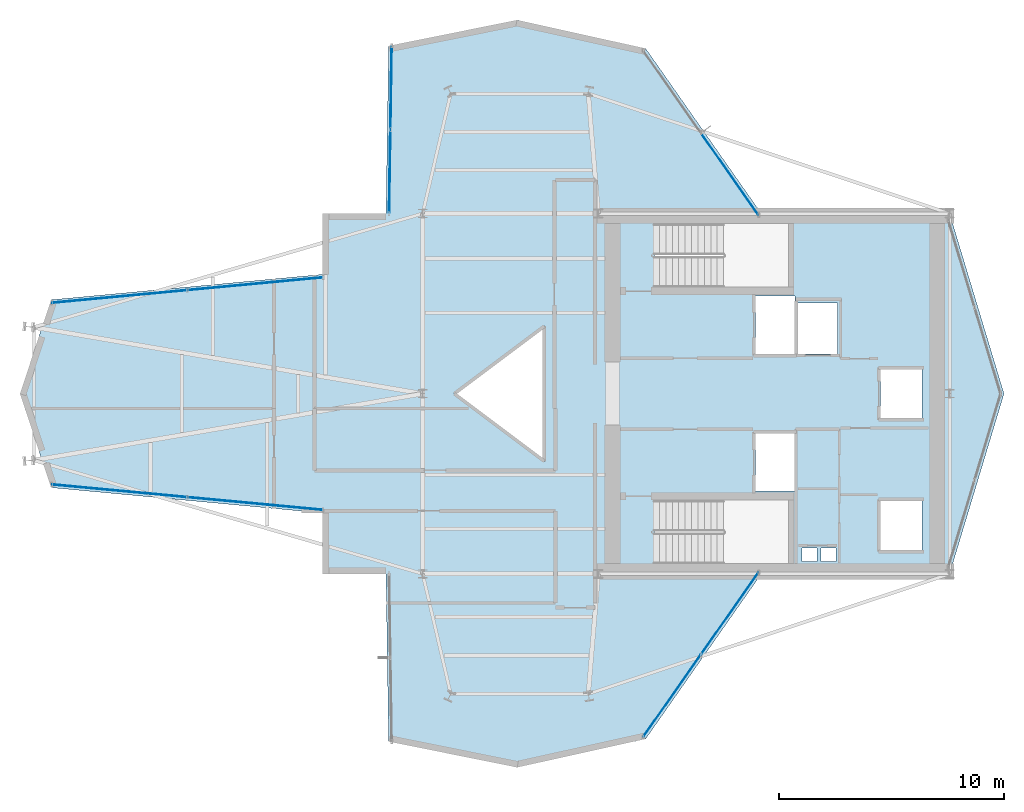
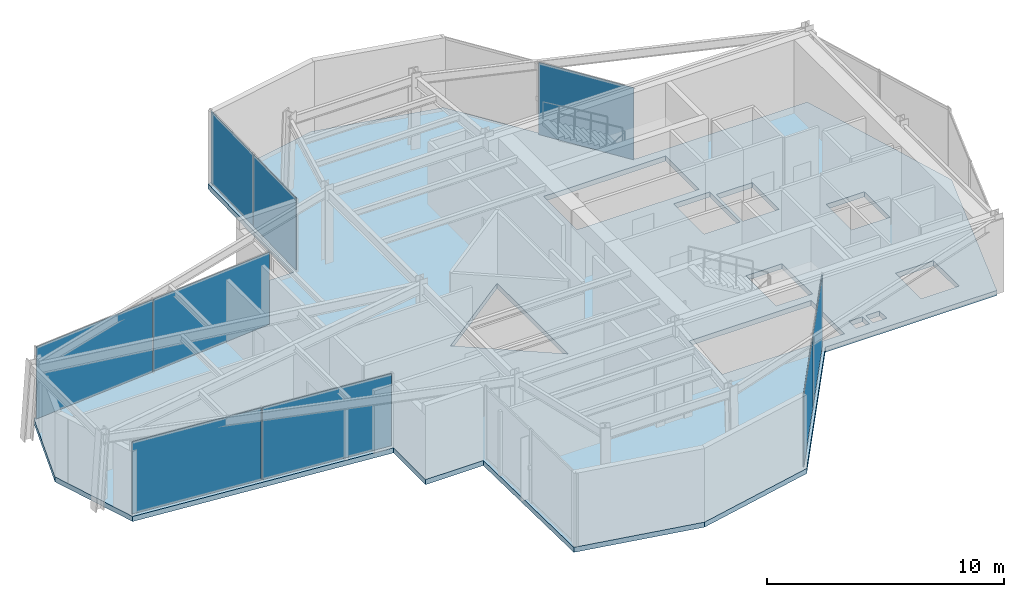
# One storey, part 19 of 23: 9 plates, 1 slab, 5 elements without a shape of their own.
"""IFC4 building model written with IfcOpenShell, lengths in metres."""

from ifc_helpers import new_model, si_unit, direction, frame, origin, origin_2d, place, context, subcontext, project, spatial, polyline, rectangle, outline, extrude, material, layer, layer_set, type_object, element, aggregate, save


model = new_model("IFC4")

# Units and contexts
model_context = context("Model", 3, precision=1e-05, world=origin(), true_north=direction((0.0, 1.0)))
body_context = subcontext(model_context, "Body", "Model", "MODEL_VIEW")
ifc_project = project(units=[si_unit("LENGTHUNIT", "METRE"), si_unit("AREAUNIT", "SQUARE_METRE"), si_unit("VOLUMEUNIT", "CUBIC_METRE"), si_unit("PLANEANGLEUNIT", "RADIAN"), si_unit("MASSUNIT", "GRAM", prefix="KILO")], contexts=[model_context])

# Site, building, storey
site_placement = place(None, origin())
site = spatial("IfcSite", under=ifc_project, at=site_placement, CompositionType="ELEMENT")
building_placement = place(site_placement, origin())
building = spatial("IfcBuilding", under=site, at=building_placement, Name="Veymaron Broadcast Tower", CompositionType="ELEMENT")
storey_placement = place(building_placement, frame((0.0, 0.0, 224.25)))
storey = spatial("IfcBuildingStorey", under=building, at=storey_placement, Name="L52", CompositionType="ELEMENT", Elevation=224.25)

# Curtain wall, plate
ifc_material_1 = material(Name="Anodised aluminium AA 6063-T6 and laminated low-E dark glass", Category="aluminium")
ifc_layer_1 = layer(ifc_material_1, 0.179931640625)
ifc_layer_set_1 = layer_set([ifc_layer_1], Name="Anodised aluminium AA 6063-T6 and laminated low-E dark glass")
curtain_wall_type = type_object("IfcCurtainWallType", Name="CW-SYS-05", PredefinedType="NOTDEFINED", material=ifc_layer_set_1)
curtain_wall_1_placement = place(storey_placement, origin())
curtain_wall_1 = element("IfcCurtainWall", 1, at=curtain_wall_1_placement, inside=storey, type_object=curtain_wall_type, Name="L52 dark-glass curtain wall CW-L52-E5-1", PredefinedType="NOTDEFINED")
ifc_material_2 = material(Name="Double-silver solar-control dark glass IGU 32 mm", Category="glass")
ifc_layer_2 = layer(ifc_material_2, 0.031982421875)
ifc_layer_set_2 = layer_set([ifc_layer_2], Name="Double-silver solar-control dark glass IGU 32 mm")
plate_type = type_object("IfcPlateType", Name="CW-PNL-02", PredefinedType="CURTAIN_PANEL", material=ifc_layer_set_2)
plate_1_placement = place(storey_placement, frame((44.84033203125, 33.752197265625, 0.0400390625), z_axis=(0.0, 0.0, 1.0), x_axis=(-0.573905218834, 0.818921729957, 0.0)))
plate_1 = element("IfcPlate", 2, at=plate_1_placement, type_object=plate_type, Name="CW-L52-E5-1 unitised curtain panel 0", PredefinedType="CURTAIN_PANEL", context=body_context, shape_type="SweptSolid", body=[
    extrude(rectangle(XDim=4.415283203125, YDim=0.031982421875, at=origin_2d()), origin(), (0.0, 0.0, 1.0), 3.7099609375),
])
aggregate(curtain_wall_1, [plate_1])

# Curtain wall, plates
curtain_wall_2_placement = place(storey_placement, origin())
curtain_wall_2 = element("IfcCurtainWall", 3, at=curtain_wall_2_placement, inside=storey, type_object=curtain_wall_type, Name="L52 dark-glass curtain wall CW-L52-E8-1", PredefinedType="NOTDEFINED")
plate_2_placement = place(storey_placement, frame((29.798828125, 37.58154296875, 0.0400390625), z_axis=(0.0, 0.0, 1.0), x_axis=(-0.015480452098, -0.999880170622, 0.0)))
plate_2 = element("IfcPlate", 4, at=plate_2_placement, type_object=plate_type, Name="CW-L52-E8-1 unitised curtain panel 0", PredefinedType="CURTAIN_PANEL", context=body_context, shape_type="SweptSolid", body=[
    extrude(rectangle(XDim=3.662841796875, YDim=0.031982421875, at=origin_2d()), origin(), (0.0, 0.0, 1.0), 3.7099609375),
])
plate_3_placement = place(storey_placement, frame((29.7412109375, 33.85888671875, 0.0400390625), z_axis=(0.0, 0.0, 1.0), x_axis=(-0.015480452098, -0.999880170622, 0.0)))
plate_3 = element("IfcPlate", 5, at=plate_3_placement, type_object=plate_type, Name="CW-L52-E8-1 unitised curtain panel 1", PredefinedType="CURTAIN_PANEL", context=body_context, shape_type="SweptSolid", body=[
    extrude(rectangle(XDim=3.662841796875, YDim=0.031982421875, at=origin_2d()), origin(), (0.0, 0.0, 1.0), 3.7099609375),
])
aggregate(curtain_wall_2, [plate_2, plate_3])

curtain_wall_3_placement = place(storey_placement, origin())
curtain_wall_3 = element("IfcCurtainWall", 6, at=curtain_wall_3_placement, inside=storey, type_object=curtain_wall_type, Name="L52 dark-glass curtain wall CW-L52-E11-1", PredefinedType="NOTDEFINED")
plate_4_placement = place(storey_placement, frame((23.758056640625, 28.878662109375, 0.0400390625), z_axis=(0.0, 0.0, 1.0), x_axis=(-0.995642083019, -0.093256863132, 0.0)))
plate_4 = element("IfcPlate", 7, at=plate_4_placement, type_object=plate_type, Name="CW-L52-E11-1 unitised curtain panel 0", PredefinedType="CURTAIN_PANEL", context=body_context, shape_type="SweptSolid", body=[
    extrude(rectangle(XDim=5.996337890625, YDim=0.031982421875, at=origin_2d()), origin(), (0.0, 0.0, 1.0), 3.7099609375),
])
plate_5_placement = place(storey_placement, frame((17.72802734375, 28.313720703125, 0.0400390625), z_axis=(0.0, 0.0, 1.0), x_axis=(-0.995642083019, -0.093256863132, 0.0)))
plate_5 = element("IfcPlate", 8, at=plate_5_placement, type_object=plate_type, Name="CW-L52-E11-1 unitised curtain panel 1", PredefinedType="CURTAIN_PANEL", context=body_context, shape_type="SweptSolid", body=[
    extrude(rectangle(XDim=5.996337890625, YDim=0.031982421875, at=origin_2d()), origin(), (0.0, 0.0, 1.0), 3.7099609375),
])
aggregate(curtain_wall_3, [plate_4, plate_5])

curtain_wall_4_placement = place(storey_placement, origin())
curtain_wall_4 = element("IfcCurtainWall", 9, at=curtain_wall_4_placement, inside=storey, type_object=curtain_wall_type, Name="L52 dark-glass curtain wall CW-L52-E14-1", PredefinedType="NOTDEFINED")
plate_6_placement = place(storey_placement, frame((17.72802734375, 19.686279296875, 0.0400390625), z_axis=(0.0, 0.0, 1.0), x_axis=(0.995642083019, -0.093256863132, 0.0)))
plate_6 = element("IfcPlate", 10, at=plate_6_placement, type_object=plate_type, Name="CW-L52-E14-1 unitised curtain panel 0", PredefinedType="CURTAIN_PANEL", context=body_context, shape_type="SweptSolid", body=[
    extrude(rectangle(XDim=5.996337890625, YDim=0.031982421875, at=origin_2d()), origin(), (0.0, 0.0, 1.0), 3.7099609375),
])
plate_7_placement = place(storey_placement, frame((23.758056640625, 19.121337890625, 0.0400390625), z_axis=(0.0, 0.0, 1.0), x_axis=(0.995642083019, -0.093256863132, 0.0)))
plate_7 = element("IfcPlate", 11, at=plate_7_placement, type_object=plate_type, Name="CW-L52-E14-1 unitised curtain panel 1", PredefinedType="CURTAIN_PANEL", context=body_context, shape_type="SweptSolid", body=[
    extrude(rectangle(XDim=5.996337890625, YDim=0.031982421875, at=origin_2d()), origin(), (0.0, 0.0, 1.0), 3.7099609375),
])
aggregate(curtain_wall_4, [plate_6, plate_7])

curtain_wall_5_placement = place(storey_placement, origin())
curtain_wall_5 = element("IfcCurtainWall", 12, at=curtain_wall_5_placement, inside=storey, type_object=curtain_wall_type, Name="L52 dark-glass curtain wall CW-L52-E20-1", PredefinedType="NOTDEFINED")
plate_8_placement = place(storey_placement, frame((42.27197265625, 10.582763671875, 0.0400390625), z_axis=(0.0, 0.0, 1.0), x_axis=(0.573905218834, 0.818921729957, 0.0)))
plate_8 = element("IfcPlate", 13, at=plate_8_placement, type_object=plate_type, Name="CW-L52-E20-1 unitised curtain panel 0", PredefinedType="CURTAIN_PANEL", context=body_context, shape_type="SweptSolid", body=[
    extrude(rectangle(XDim=4.415283203125, YDim=0.031982421875, at=origin_2d()), origin(), (0.0, 0.0, 1.0), 3.7099609375),
])
plate_9_placement = place(storey_placement, frame((44.84033203125, 14.247802734375, 0.0400390625), z_axis=(0.0, 0.0, 1.0), x_axis=(0.573905218834, 0.818921729957, 0.0)))
plate_9 = element("IfcPlate", 14, at=plate_9_placement, type_object=plate_type, Name="CW-L52-E20-1 unitised curtain panel 1", PredefinedType="CURTAIN_PANEL", context=body_context, shape_type="SweptSolid", body=[
    extrude(rectangle(XDim=4.415283203125, YDim=0.031982421875, at=origin_2d()), origin(), (0.0, 0.0, 1.0), 3.7099609375),
])
aggregate(curtain_wall_5, [plate_8, plate_9])

# Slab
ifc_material_3 = material(Name="Concrete C40/50", Category="concrete")
ifc_layer_3 = layer(ifc_material_3, 0.260009765625)
ifc_layer_set_3 = layer_set([ifc_layer_3], Name="Concrete C40/50")
slab_type = type_object("IfcSlabType", Name="SLAB-FS5", PredefinedType="FLOOR", material=ifc_layer_set_3)
slab_placement = place(storey_placement, frame((0.0, 0.0, -0.260009765625)))
element("IfcSlab", 15, at=slab_placement, inside=storey, type_object=slab_type, Name="L52 structural floor slab", PredefinedType="FLOOR", context=body_context, shape_type="SweptSolid", body=[
    extrude(outline(polyline([(46.2392578125, 16.0), (54.60009765625, 16.0), (57.014892578125, 24.0), (54.60009765625, 32.0), (46.2392578125, 32.0), (41.102294921875, 39.330078125), (35.39501953125, 40.594970703125), (29.687744140625, 39.445068359375), (29.572509765625, 32.0), (26.760009765625, 32.0), (26.760009765625, 29.30029296875), (14.699951171875, 28.170654296875), (13.320068359375, 24.0), (14.699951171875, 19.829345703125), (26.760009765625, 18.69970703125), (26.760009765625, 16.0), (29.572509765625, 16.0), (29.687744140625, 8.554931640625), (35.39501953125, 7.405029296875), (41.102294921875, 8.669921875), (46.2392578125, 16.0)]), holes=[polyline([(45.969970703125, 28.330078125), (47.72998046875, 28.330078125), (47.72998046875, 25.77001953125), (45.969970703125, 25.77001953125), (45.969970703125, 28.330078125)]), polyline([(45.969970703125, 22.22998046875), (47.72998046875, 22.22998046875), (47.72998046875, 19.669921875), (45.969970703125, 19.669921875), (45.969970703125, 22.22998046875)]), polyline([(47.8701171875, 28.030029296875), (49.6298828125, 28.030029296875), (49.6298828125, 25.77001953125), (47.8701171875, 25.77001953125), (47.8701171875, 28.030029296875)]), polyline([(51.52001953125, 25.080078125), (53.3798828125, 25.080078125), (53.3798828125, 22.919921875), (51.52001953125, 22.919921875), (51.52001953125, 25.080078125)]), polyline([(51.52001953125, 19.22998046875), (53.3798828125, 19.22998046875), (53.3798828125, 17.070068359375), (51.52001953125, 17.070068359375), (51.52001953125, 19.22998046875)]), polyline([(48.050048828125, 17.159912109375), (48.719970703125, 17.159912109375), (48.719970703125, 16.56005859375), (48.050048828125, 16.56005859375), (48.050048828125, 17.159912109375)]), polyline([(48.8798828125, 17.159912109375), (49.550048828125, 17.159912109375), (49.550048828125, 16.56005859375), (48.8798828125, 16.56005859375), (48.8798828125, 17.159912109375)]), polyline([(36.60009765625, 27.0), (36.60009765625, 21.0), (32.60009765625, 24.0), (36.60009765625, 27.0)]), polyline([(41.489990234375, 31.550048828125), (47.43994140625, 31.550048828125), (47.43994140625, 28.72998046875), (41.489990234375, 28.72998046875), (41.489990234375, 31.550048828125)]), polyline([(41.489990234375, 19.27001953125), (47.43994140625, 19.27001953125), (47.43994140625, 16.449951171875), (41.489990234375, 16.449951171875), (41.489990234375, 19.27001953125)])]), origin(), (0.0, 0.0, 1.0), 0.260009765625),
])

save(model, "model.ifc")
